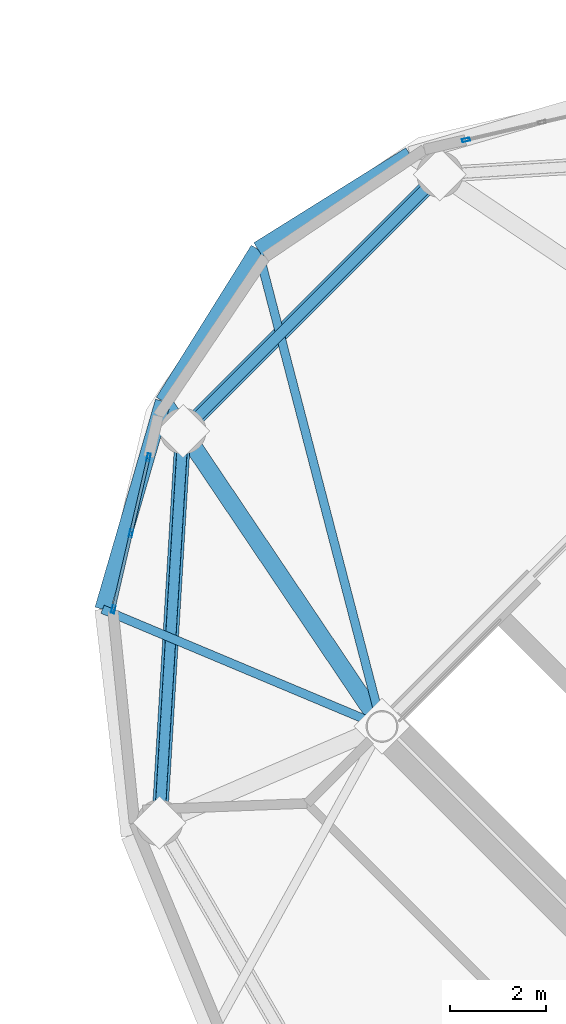
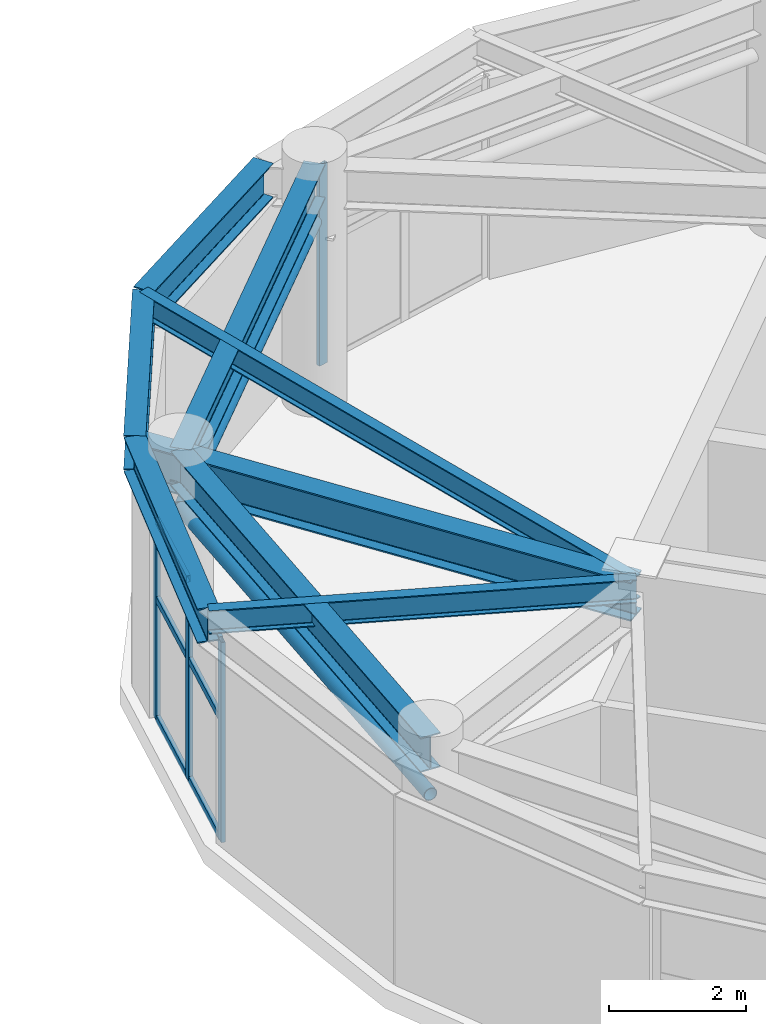
# One storey, part 15 of 26: 12 members, 8 beams, 2 elements without a shape of their own.
"""IFC4 building model written with IfcOpenShell, lengths in metres."""

from ifc_helpers import new_model, si_unit, direction, frame, origin, origin_2d, place, context, subcontext, project, spatial, hollow_rectangle, hollow_circle, i_section, extrude, material, layer, layer_set, material_profile, profile_set, type_object, element, aggregate, save


model = new_model("IFC4")

# Units and contexts
model_context = context("Model", 3, precision=1e-05, world=origin(), true_north=direction((0.0, 1.0)))
body_context = subcontext(model_context, "Body", "Model", "MODEL_VIEW")
ifc_project = project(units=[si_unit("LENGTHUNIT", "METRE"), si_unit("AREAUNIT", "SQUARE_METRE"), si_unit("VOLUMEUNIT", "CUBIC_METRE"), si_unit("PLANEANGLEUNIT", "RADIAN"), si_unit("MASSUNIT", "GRAM", prefix="KILO")], contexts=[model_context])

# Site, building, storey
site_placement = place(None, origin())
site = spatial("IfcSite", under=ifc_project, at=site_placement, CompositionType="ELEMENT")
building_placement = place(site_placement, origin())
building = spatial("IfcBuilding", under=site, at=building_placement, Name="Cununo Teusaquillo Station Towers", CompositionType="ELEMENT")
storey_placement = place(building_placement, frame((0.0, 0.0, 240.330078125)))
storey = spatial("IfcBuildingStorey", under=building, at=storey_placement, Name="L76", CompositionType="ELEMENT", Elevation=240.330078125)

# Beams
ifc_material_1 = material(Name="Steel ASTM A572 Grade 50", Category="steel")
ifc_material_profile_1 = material_profile(ifc_material_1, i_section(OverallWidth=0.180908203125, OverallDepth=0.4169921875, WebThickness=0.010986328125, FlangeThickness=0.018310546875, FilletRadius=0.012939453125, at=origin_2d()), Name="W16X57")
ifc_profile_set_1 = profile_set([ifc_material_profile_1], Name="Steel ASTM A572 Grade 50")
beam_type_1 = type_object("IfcBeamType", Name="BM-JOIST-1", PredefinedType="JOIST", material=ifc_profile_set_1)
beam_1_placement = place(storey_placement, frame((48.975830078125, 25.70556640625, 3.991455078125), z_axis=(-0.251559992432, 0.967841707206, 0.0), x_axis=(-0.967841707206, -0.251559992432, 0.0)))
element("IfcBeam", 1, at=beam_1_placement, inside=storey, type_object=beam_type_1, Name="L76 Tower B Radial Spandrel Joist V05", PredefinedType="JOIST", context=body_context, shape_type="SweptSolid", body=[
    extrude(i_section(OverallWidth=0.180908203125, OverallDepth=0.4169921875, WebThickness=0.010986328125, FlangeThickness=0.018310546875, FilletRadius=0.012939453125, at=origin_2d()), origin(), (0.0, 0.0, 1.0), 10.217529296875),
])
beam_2_placement = place(storey_placement, frame((48.975830078125, 25.70556640625, 3.991455078125), z_axis=(-0.922169338565, 0.386786389381, 0.0), x_axis=(-0.386786389381, -0.922169338565, 0.0)))
element("IfcBeam", 2, at=beam_2_placement, inside=storey, type_object=beam_type_1, Name="L76 Tower B Radial Spandrel Joist V07", PredefinedType="JOIST", context=body_context, shape_type="SweptSolid", body=[
    extrude(i_section(OverallWidth=0.180908203125, OverallDepth=0.4169921875, WebThickness=0.010986328125, FlangeThickness=0.018310546875, FilletRadius=0.012939453125, at=origin_2d()), origin(), (0.0, 0.0, 1.0), 6.281005859375),
])
ifc_material_2 = material(Name="Steel ASTM A572 Grade 50", Category="steel")
ifc_material_profile_2 = material_profile(ifc_material_2, i_section(OverallWidth=0.35498046875, OverallDepth=0.696044921875, WebThickness=0.015380859375, FlangeThickness=0.02490234375, FilletRadius=0.01806640625, at=origin_2d()), Name="W27X146")
ifc_profile_set_2 = profile_set([ifc_material_profile_2], Name="Steel ASTM A572 Grade 50")
beam_type_2 = type_object("IfcBeamType", Name="BM-PLNT-G1", PredefinedType="BEAM", material=ifc_profile_set_2)
beam_3_placement = place(storey_placement, frame((48.975830078125, 25.70556640625, 3.851806640625), z_axis=(-0.558570844079, 0.829456817529, 0.0), x_axis=(-0.829456817529, -0.558570844079, 0.0)))
element("IfcBeam", 3, at=beam_3_placement, inside=storey, type_object=beam_type_2, Name="L76 Tower B Continuous Overhanging Radial Girder 04", PredefinedType="BEAM", context=body_context, shape_type="SweptSolid", body=[
    extrude(i_section(OverallWidth=0.35498046875, OverallDepth=0.696044921875, WebThickness=0.015380859375, FlangeThickness=0.02490234375, FilletRadius=0.01806640625, at=origin_2d()), origin(), (0.0, 0.0, 1.0), 8.1240234375),
])
ifc_material_3 = material(Name="Steel ASTM A572 Grade 50", Category="steel")
ifc_material_profile_3 = material_profile(ifc_material_3, i_section(OverallWidth=0.324951171875, OverallDepth=0.615966796875, WebThickness=0.013916015625, FlangeThickness=0.021484375, FilletRadius=0.01611328125, at=origin_2d()), Name="W24X117")
ifc_profile_set_3 = profile_set([ifc_material_profile_3], Name="Steel ASTM A572 Grade 50")
beam_type_3 = type_object("IfcBeamType", Name="BM-PLNT-G2", PredefinedType="BEAM", material=ifc_profile_set_3)
beam_4_placement = place(storey_placement, frame((50.173095703125, 37.146240234375, 3.891845703125), z_axis=(-0.707106781187, -0.707106781187, 0.0), x_axis=(0.707106781187, -0.707106781187, 0.0)))
element("IfcBeam", 4, at=beam_4_placement, inside=storey, type_object=beam_type_3, Name="L76 Tower B Structural Column Ring Girder 03", PredefinedType="BEAM", context=body_context, shape_type="SweptSolid", body=[
    extrude(i_section(OverallWidth=0.324951171875, OverallDepth=0.615966796875, WebThickness=0.013916015625, FlangeThickness=0.021484375, FilletRadius=0.01611328125, at=origin_2d()), origin(), (0.0, 0.0, 1.0), 7.522705078125),
])
beam_5_placement = place(storey_placement, frame((44.853759765625, 31.826904296875, 3.891845703125), z_axis=(-0.06012979176, -0.998190567048, 0.0), x_axis=(0.998190567048, -0.06012979176, 0.0)))
element("IfcBeam", 5, at=beam_5_placement, inside=storey, type_object=beam_type_3, Name="L76 Tower B Structural Column Ring Girder 04", PredefinedType="BEAM", context=body_context, shape_type="SweptSolid", body=[
    extrude(i_section(OverallWidth=0.324951171875, OverallDepth=0.615966796875, WebThickness=0.013916015625, FlangeThickness=0.021484375, FilletRadius=0.01611328125, at=origin_2d()), origin(), (0.0, 0.0, 1.0), 8.132568359375),
])
for number, where, z_axis, x_axis, name in (
    (6, (49.555908203125, 37.56201171875, 3.891845703125), (-0.848175505099, -0.529715312739, 0.0), (0.529715312739, -0.848175505099, 0.0), "L76 Tower B Spandrel Ring Beam 05"),
    (7, (46.405517578125, 35.594482421875, 3.891845703125), (-0.529715312739, -0.848175505099, 0.0), (0.848175505099, -0.529715312739, 0.0), "L76 Tower B Spandrel Ring Beam 06"),
):
    element("IfcBeam", number, at=place(storey_placement, frame(where, z_axis=z_axis, x_axis=x_axis)), inside=storey, type_object=beam_type_3, Name=name, PredefinedType="BEAM", context=body_context, shape_type="SweptSolid", body=[
        extrude(i_section(OverallWidth=0.324951171875, OverallDepth=0.615966796875, WebThickness=0.013916015625, FlangeThickness=0.021484375, FilletRadius=0.01611328125, at=origin_2d()), origin(), (0.0, 0.0, 1.0), 3.71435546875),
    ])
beam_6_placement = place(storey_placement, frame((44.43798828125, 32.444091796875, 3.891845703125), z_axis=(-0.279502797802, -0.96014487762, 0.0), x_axis=(0.96014487762, -0.279502797802, 0.0)))
element("IfcBeam", 8, at=beam_6_placement, inside=storey, type_object=beam_type_3, Name="L76 Tower B Spandrel Ring Beam 07", PredefinedType="BEAM", context=body_context, shape_type="SweptSolid", body=[
    extrude(i_section(OverallWidth=0.324951171875, OverallDepth=0.615966796875, WebThickness=0.013916015625, FlangeThickness=0.021484375, FilletRadius=0.01611328125, at=origin_2d()), origin(), (0.0, 0.0, 1.0), 4.488037109375),
])

# Curtain wall, member
ifc_material_4 = material(Name="Ceramic-fritted dark low-E double glazing", Category="glass")
ifc_layer = layer(ifc_material_4, 0.179931640625)
ifc_layer_set = layer_set([ifc_layer], Name="Ceramic-fritted dark low-E double glazing")
curtain_wall_type = type_object("IfcCurtainWallType", Name="CW-SYS-08", PredefinedType="USERDEFINED", material=ifc_layer_set)
curtain_wall_1_placement = place(storey_placement, origin())
curtain_wall_1 = element("IfcCurtainWall", 9, at=curtain_wall_1_placement, inside=storey, type_object=curtain_wall_type, Name="L76 Tower B Crown Drum Glazed Screen C03", ObjectType="FRITTED GLAZING", PredefinedType="USERDEFINED")
ifc_material_5 = material(Name="Anodised dark bronze aluminium EN AW-6063-T6", Category="aluminium")
ifc_material_profile_4 = material_profile(ifc_material_5, hollow_rectangle(XDim=0.06494140625, YDim=0.159912109375, WallThickness=0.00390625, at=origin_2d()), Name="CW-MULL-65x160")
ifc_profile_set_4 = profile_set([ifc_material_profile_4], Name="Anodised dark bronze aluminium EN AW-6063-T6")
member_type_1 = type_object("IfcMemberType", Name="CWM-160", PredefinedType="MULLION", material=ifc_profile_set_4)
member_1_placement = place(storey_placement, frame((50.716064453125, 37.8623046875, 0.0), z_axis=(0.0, 0.0, 1.0), x_axis=(-0.225465813065, 0.974251080132, 0.0)))
member_1 = element("IfcMember", 10, at=member_1_placement, type_object=member_type_1, Name="CW-08 mullion 1", PredefinedType="MULLION", context=body_context, shape_type="SweptSolid", body=[
    extrude(hollow_rectangle(XDim=0.06494140625, YDim=0.159912109375, WallThickness=0.00390625, at=origin_2d()), origin(), (0.0, 0.0, 1.0), 3.555908203125),
])
aggregate(curtain_wall_1, [member_1])

# Curtain wall, members
curtain_wall_2_placement = place(storey_placement, origin())
curtain_wall_2 = element("IfcCurtainWall", 11, at=curtain_wall_2_placement, inside=storey, type_object=curtain_wall_type, Name="L76 Tower B Crown Drum Glazed Screen C06", ObjectType="FRITTED GLAZING", PredefinedType="USERDEFINED")
member_2_placement = place(storey_placement, frame((43.408203125, 28.132080078125, 0.0), z_axis=(0.0, 0.0, 1.0), x_axis=(-0.974251080132, 0.225465813065, 0.0)))
member_2 = element("IfcMember", 12, at=member_2_placement, type_object=member_type_1, Name="CW-08 mullion 1", PredefinedType="MULLION", context=body_context, shape_type="SweptSolid", body=[
    extrude(hollow_rectangle(XDim=0.06494140625, YDim=0.159912109375, WallThickness=0.00390625, at=origin_2d()), origin(), (0.0, 0.0, 1.0), 3.555908203125),
])
member_3_placement = place(storey_placement, frame((43.77294921875, 29.7080078125, 0.0), z_axis=(0.0, 0.0, 1.0), x_axis=(-0.974251080132, 0.225465813065, 0.0)))
member_3 = element("IfcMember", 13, at=member_3_placement, type_object=member_type_1, Name="CW-08 mullion 2", PredefinedType="MULLION", context=body_context, shape_type="SweptSolid", body=[
    extrude(hollow_rectangle(XDim=0.06494140625, YDim=0.159912109375, WallThickness=0.00390625, at=origin_2d()), origin(), (0.0, 0.0, 1.0), 3.555908203125),
])
member_4_placement = place(storey_placement, frame((44.1376953125, 31.283935546875, 0.0), z_axis=(0.0, 0.0, 1.0), x_axis=(-0.974251080132, 0.225465813065, 0.0)))
member_4 = element("IfcMember", 14, at=member_4_placement, type_object=member_type_1, Name="CW-08 mullion 3", PredefinedType="MULLION", context=body_context, shape_type="SweptSolid", body=[
    extrude(hollow_rectangle(XDim=0.06494140625, YDim=0.159912109375, WallThickness=0.00390625, at=origin_2d()), origin(), (0.0, 0.0, 1.0), 3.555908203125),
])
ifc_material_6 = material(Name="Anodised dark bronze aluminium EN AW-6063-T6", Category="aluminium")
ifc_material_profile_5 = material_profile(ifc_material_6, hollow_rectangle(XDim=0.06494140625, YDim=0.1201171875, WallThickness=0.00390625, at=origin_2d()), Name="CW-TRAN-65x120")
ifc_profile_set_5 = profile_set([ifc_material_profile_5], Name="Anodised dark bronze aluminium EN AW-6063-T6")
member_type_2 = type_object("IfcMemberType", Name="CWT-120", PredefinedType="USERDEFINED", material=ifc_profile_set_5)
member_5_placement = place(storey_placement, frame((43.41552734375, 28.163818359375, 0.032470703125), z_axis=(0.225514126498, 0.974239897946, 0.0), x_axis=(-0.974239897946, 0.225514126498, 0.0)))
member_5 = element("IfcMember", 15, at=member_5_placement, type_object=member_type_2, Name="CW-08 transom 1.1", ObjectType="TRANSOM", PredefinedType="USERDEFINED", context=body_context, shape_type="SweptSolid", body=[
    extrude(hollow_rectangle(XDim=0.06494140625, YDim=0.1201171875, WallThickness=0.00390625, at=origin_2d()), origin(), (0.0, 0.0, 1.0), 1.552490234375),
])
member_6_placement = place(storey_placement, frame((43.41552734375, 28.163818359375, 2.14990234375), z_axis=(0.225514126498, 0.974239897946, 0.0), x_axis=(-0.974239897946, 0.225514126498, 0.0)))
member_6 = element("IfcMember", 16, at=member_6_placement, type_object=member_type_2, Name="CW-08 transom 1.2", ObjectType="TRANSOM", PredefinedType="USERDEFINED", context=body_context, shape_type="SweptSolid", body=[
    extrude(hollow_rectangle(XDim=0.06494140625, YDim=0.1201171875, WallThickness=0.00390625, at=origin_2d()), origin(), (0.0, 0.0, 1.0), 1.552490234375),
])
member_7_placement = place(storey_placement, frame((43.41552734375, 28.163818359375, 3.5234375), z_axis=(0.225514126498, 0.974239897946, 0.0), x_axis=(-0.974239897946, 0.225514126498, 0.0)))
member_7 = element("IfcMember", 17, at=member_7_placement, type_object=member_type_2, Name="CW-08 transom 1.3", ObjectType="TRANSOM", PredefinedType="USERDEFINED", context=body_context, shape_type="SweptSolid", body=[
    extrude(hollow_rectangle(XDim=0.06494140625, YDim=0.1201171875, WallThickness=0.00390625, at=origin_2d()), origin(), (0.0, 0.0, 1.0), 1.552490234375),
])
member_8_placement = place(storey_placement, frame((43.7802734375, 29.73974609375, 0.032470703125), z_axis=(0.225479580359, 0.974247893937, 0.0), x_axis=(-0.974247893937, 0.225479580359, 0.0)))
member_8 = element("IfcMember", 18, at=member_8_placement, type_object=member_type_2, Name="CW-08 transom 2.1", ObjectType="TRANSOM", PredefinedType="USERDEFINED", context=body_context, shape_type="SweptSolid", body=[
    extrude(hollow_rectangle(XDim=0.06494140625, YDim=0.1201171875, WallThickness=0.00390625, at=origin_2d()), origin(), (0.0, 0.0, 1.0), 1.552734375),
])
member_9_placement = place(storey_placement, frame((43.7802734375, 29.73974609375, 2.14990234375), z_axis=(0.225479580359, 0.974247893937, 0.0), x_axis=(-0.974247893937, 0.225479580359, 0.0)))
member_9 = element("IfcMember", 19, at=member_9_placement, type_object=member_type_2, Name="CW-08 transom 2.2", ObjectType="TRANSOM", PredefinedType="USERDEFINED", context=body_context, shape_type="SweptSolid", body=[
    extrude(hollow_rectangle(XDim=0.06494140625, YDim=0.1201171875, WallThickness=0.00390625, at=origin_2d()), origin(), (0.0, 0.0, 1.0), 1.552734375),
])
member_10_placement = place(storey_placement, frame((43.7802734375, 29.73974609375, 3.5234375), z_axis=(0.225479580359, 0.974247893937, 0.0), x_axis=(-0.974247893937, 0.225479580359, 0.0)))
member_10 = element("IfcMember", 20, at=member_10_placement, type_object=member_type_2, Name="CW-08 transom 2.3", ObjectType="TRANSOM", PredefinedType="USERDEFINED", context=body_context, shape_type="SweptSolid", body=[
    extrude(hollow_rectangle(XDim=0.06494140625, YDim=0.1201171875, WallThickness=0.00390625, at=origin_2d()), origin(), (0.0, 0.0, 1.0), 1.552734375),
])
aggregate(curtain_wall_2, [member_2, member_3, member_4, member_5, member_6, member_7, member_8, member_9, member_10])

# Members
ifc_material_7 = material(Name="Steel EN 10025-2 S355J2", Category="steel")
ifc_material_profile_6 = material_profile(ifc_material_7, hollow_circle(Radius=0.109619140625, WallThickness=0.010009765625, at=origin_2d()), Name="CHS 219x10")
ifc_profile_set_6 = profile_set([ifc_material_profile_6], Name="Steel EN 10025-2 S355J2")
member_type_3 = type_object("IfcMemberType", Name="MBR-DRUM-COL", PredefinedType="COLLAR", material=ifc_profile_set_6)
member_11_placement = place(storey_placement, frame((50.173095703125, 37.146240234375, 3.14990234375), z_axis=(-0.707106781187, -0.707106781187, 0.0), x_axis=(0.707106781187, -0.707106781187, 0.0)))
element("IfcMember", 21, at=member_11_placement, inside=storey, type_object=member_type_3, Name="L76 Tower B Crown Drum Collar 03", PredefinedType="COLLAR", context=body_context, shape_type="SweptSolid", body=[
    extrude(hollow_circle(Radius=0.109619140625, WallThickness=0.010009765625, at=origin_2d()), origin(), (0.0, 0.0, 1.0), 7.522705078125),
])
member_12_placement = place(storey_placement, frame((44.853759765625, 31.826904296875, 3.14990234375), z_axis=(-0.06012979176, -0.998190567048, 0.0), x_axis=(0.998190567048, -0.06012979176, 0.0)))
element("IfcMember", 22, at=member_12_placement, inside=storey, type_object=member_type_3, Name="L76 Tower B Crown Drum Collar 04", PredefinedType="COLLAR", context=body_context, shape_type="SweptSolid", body=[
    extrude(hollow_circle(Radius=0.109619140625, WallThickness=0.010009765625, at=origin_2d()), origin(), (0.0, 0.0, 1.0), 8.132568359375),
])

save(model, "model.ifc")
